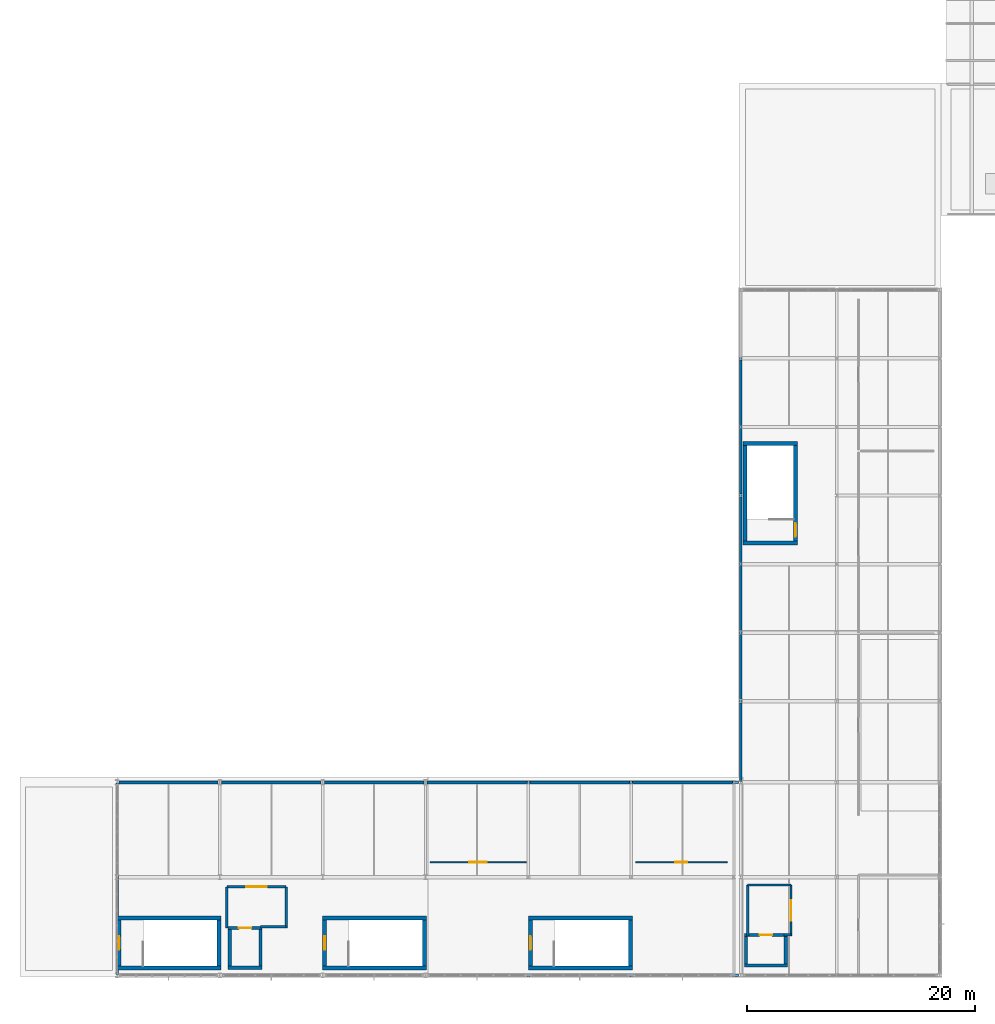
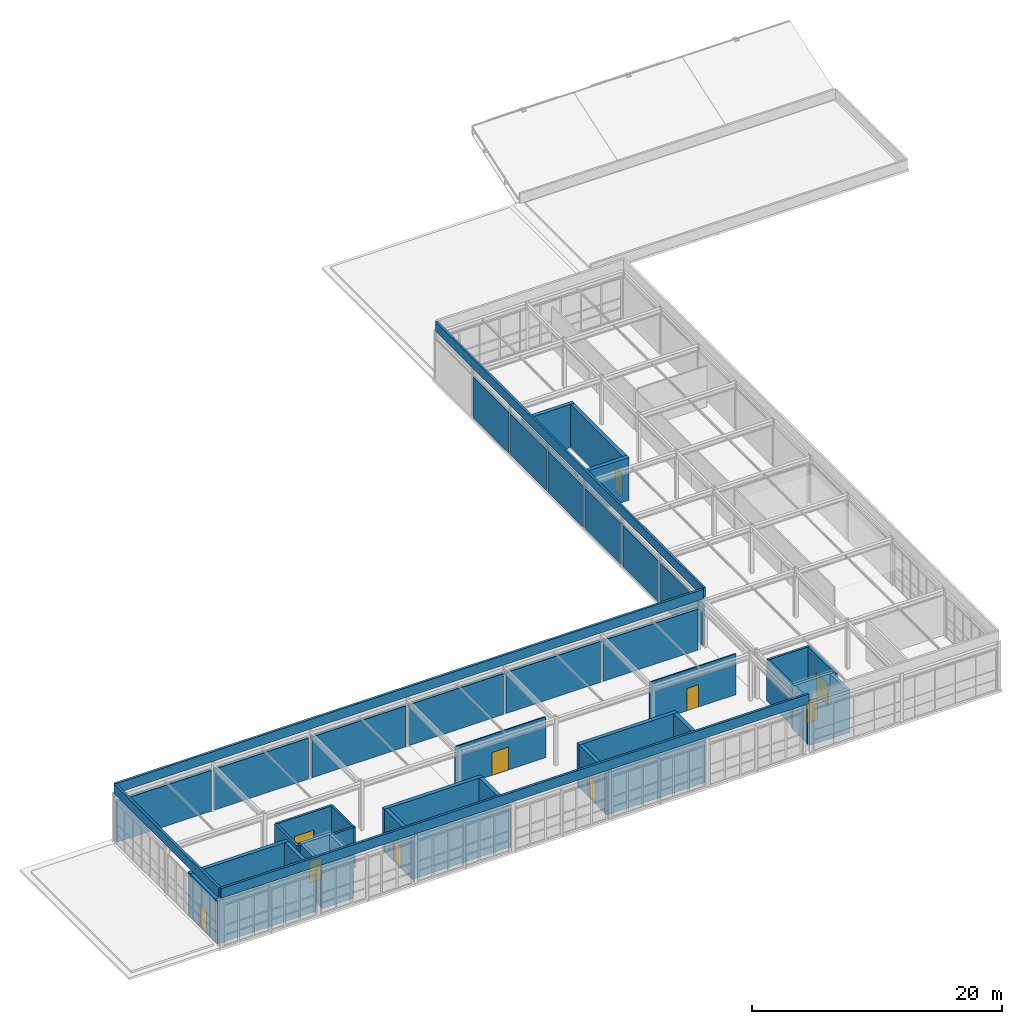
# One storey, part 33 of 38: 50 walls, 10 doors, 10 openings.
"""IFC4 building model written with IfcOpenShell, lengths in metres."""

from ifc_helpers import new_model, si_unit, direction, frame, frame_2d, origin, place, context, subcontext, project, spatial, rectangle, extrude, material, layer, layer_set, type_object, element, fill, save


model = new_model("IFC4")

# Units and contexts
model_context = context("Model", 3, precision=1e-05, world=origin(), true_north=direction((0.0, 1.0)))
body_context = subcontext(model_context, "Body", "Model", "MODEL_VIEW")
ifc_project = project(units=[si_unit("LENGTHUNIT", "METRE"), si_unit("AREAUNIT", "SQUARE_METRE"), si_unit("VOLUMEUNIT", "CUBIC_METRE"), si_unit("PLANEANGLEUNIT", "RADIAN"), si_unit("MASSUNIT", "GRAM", prefix="KILO")], contexts=[model_context])

# Site, building, storey
site_placement = place(None, origin())
site = spatial("IfcSite", under=ifc_project, at=site_placement, CompositionType="ELEMENT")
building_placement = place(site_placement, origin())
building = spatial("IfcBuilding", under=site, at=building_placement, Name="Kaldris Quays Convention Centre", CompositionType="ELEMENT")
storey_placement = place(building_placement, frame((0.0, 0.0, 21.60009765625)))
storey = spatial("IfcBuildingStorey", under=building, at=storey_placement, Name="L04", CompositionType="ELEMENT", Elevation=21.60009765625)

# Walls
ifc_material_1 = material(Name="Precast concrete C40/50", Category="concrete")
ifc_layer_1 = layer(ifc_material_1, 0.263916015625)
ifc_layer_set_1 = layer_set([ifc_layer_1], Name="Precast concrete C40/50")
wall_type_1 = type_object("IfcWallType", Name="EXTERIOR WALL EW04", PredefinedType="STANDARD", material=ifc_layer_set_1)
for number, where, z_axis, x_axis, name in (
    (1, (92.14599609375, 54.89990234375, 0.0), (0.0, 0.0, 1.0), (1.0, 0.0, 0.0), "L04 Exterior Wall EW04 262"),
    (2, (101.14599609375, 54.89990234375, 0.0), (0.0, 0.0, 1.0), (1.0, 0.0, 0.0), "L04 Exterior Wall EW04 263"),
    (3, (110.14599609375, 54.89990234375, 0.0), (0.0, 0.0, 1.0), (1.0, 0.0, 0.0), "L04 Exterior Wall EW04 264"),
):
    element("IfcWall", number, at=place(storey_placement, frame(where, z_axis=z_axis, x_axis=x_axis)), inside=storey, type_object=wall_type_1, Name=name, PredefinedType="STANDARD", context=body_context, shape_type="SweptSolid", body=[
        extrude(rectangle(XDim=8.7080078125, YDim=0.263916015625, at=frame_2d((4.35400390625, 0.0))), origin(), (0.0, 0.0, 1.0), 4.0),
    ])
wall_1_placement = place(storey_placement, frame((119.14599609375, 54.89990234375, 0.0), z_axis=(0.0, 0.0, 1.0), x_axis=(1.0, 0.0, 0.0)))
element("IfcWall", 4, at=wall_1_placement, inside=storey, type_object=wall_type_1, Name="L04 Exterior Wall EW04 265", PredefinedType="STANDARD", context=body_context, shape_type="SweptSolid", body=[
    extrude(rectangle(XDim=8.72802734375, YDim=0.263916015625, at=frame_2d((4.364013671875, 0.0))), origin(), (0.0, 0.0, 1.0), 4.0),
])
for number, where, z_axis, x_axis, name in (
    (5, (128.1259765625, 54.89990234375, 0.0), (0.0, 0.0, 1.0), (1.0, 0.0, 0.0), "L04 Exterior Wall EW04 266"),
    (6, (137.1259765625, 54.89990234375, 0.0), (0.0, 0.0, 1.0), (1.0, 0.0, 0.0), "L04 Exterior Wall EW04 267"),
):
    element("IfcWall", number, at=place(storey_placement, frame(where, z_axis=z_axis, x_axis=x_axis)), inside=storey, type_object=wall_type_1, Name=name, PredefinedType="STANDARD", context=body_context, shape_type="SweptSolid", body=[
        extrude(rectangle(XDim=8.748046875, YDim=0.263916015625, at=frame_2d((4.3740234375, 0.0))), origin(), (0.0, 0.0, 1.0), 4.0),
    ])
ifc_material_2 = material(Name="Anodized aluminium insulated cassette", Category="aluminium")
ifc_layer_2 = layer(ifc_material_2, 0.201904296875)
ifc_layer_set_2 = layer_set([ifc_layer_2], Name="Anodized aluminium insulated cassette")
wall_type_2 = type_object("IfcWallType", Name="EXTERIOR WALL EW07", PredefinedType="STANDARD", material=ifc_layer_set_2)
wall_2_placement = place(storey_placement, frame((146.60009765625, 55.0458984375, 0.0), z_axis=(0.0, 0.0, 1.0), x_axis=(0.0, 1.0, 0.0)))
element("IfcWall", 7, at=wall_2_placement, inside=storey, type_object=wall_type_2, Name="L04 Exterior Wall EW07 346", PredefinedType="STANDARD", context=body_context, shape_type="SweptSolid", body=[
    extrude(rectangle(XDim=6.80810546875, YDim=0.201904296875, at=frame_2d((3.404052734375, 0.0))), origin(), (0.0, 0.0, 1.0), 4.0),
])
wall_3_placement = place(storey_placement, frame((146.60009765625, 62.14599609375, 0.0), z_axis=(0.0, 0.0, 1.0), x_axis=(0.0, 1.0, 0.0)))
element("IfcWall", 8, at=wall_3_placement, inside=storey, type_object=wall_type_2, Name="L04 Exterior Wall EW07 348", PredefinedType="STANDARD", context=body_context, shape_type="SweptSolid", body=[
    extrude(rectangle(XDim=5.7080078125, YDim=0.201904296875, at=frame_2d((2.85400390625, 0.0))), origin(), (0.0, 0.0, 1.0), 4.0),
])
wall_4_placement = place(storey_placement, frame((146.60009765625, 68.14599609375, 0.0), z_axis=(0.0, 0.0, 1.0), x_axis=(0.0, 1.0, 0.0)))
element("IfcWall", 9, at=wall_4_placement, inside=storey, type_object=wall_type_2, Name="L04 Exterior Wall EW07 350", PredefinedType="STANDARD", context=body_context, shape_type="SweptSolid", body=[
    extrude(rectangle(XDim=5.738037109375, YDim=0.201904296875, at=frame_2d((2.869140625, 0.0))), origin(), (0.0, 0.0, 1.0), 4.0),
])
for number, where, z_axis, x_axis, name in (
    (10, (146.60009765625, 74.115966796875, 0.0), (0.0, 0.0, 1.0), (0.0, 1.0, 0.0), "L04 Exterior Wall EW07 352"),
    (11, (146.60009765625, 80.115966796875, 0.0), (0.0, 0.0, 1.0), (0.0, 1.0, 0.0), "L04 Exterior Wall EW07 354"),
    (12, (146.60009765625, 86.115966796875, 0.0), (0.0, 0.0, 1.0), (0.0, 1.0, 0.0), "L04 Exterior Wall EW07 356"),
):
    element("IfcWall", number, at=place(storey_placement, frame(where, z_axis=z_axis, x_axis=x_axis)), inside=storey, type_object=wall_type_2, Name=name, PredefinedType="STANDARD", context=body_context, shape_type="SweptSolid", body=[
        extrude(rectangle(XDim=5.76806640625, YDim=0.201904296875, at=frame_2d((2.884033203125, 0.0))), origin(), (0.0, 0.0, 1.0), 4.0),
    ])
ifc_material_3 = material(Name="Concrete C35/45", Category="concrete")
ifc_layer_3 = layer(ifc_material_3, 0.2119140625)
ifc_layer_set_3 = layer_set([ifc_layer_3], Name="Concrete C35/45")
wall_type_3 = type_object("IfcWallType", Name="EXTERIOR WALL PW01", PredefinedType="PARAPET", material=ifc_layer_set_3)
for number, where, z_axis, x_axis, name in (
    (13, (92.0, 38.0, 4.7998046875), (0.0, 0.0, 1.0), (1.0, 0.0, 0.0), "L04 Roof Parapet PW01 1"),
    (14, (92.0, 54.89990234375, 4.7998046875), (0.0, 0.0, 1.0), (1.0, 0.0, 0.0), "L04 Roof Parapet PW01 2"),
):
    element("IfcWall", number, at=place(storey_placement, frame(where, z_axis=z_axis, x_axis=x_axis)), inside=storey, type_object=wall_type_3, Name=name, PredefinedType="PARAPET", context=body_context, shape_type="SweptSolid", body=[
        extrude(rectangle(XDim=54.39990234375, YDim=0.2119140625, at=frame_2d((27.199951171875, 0.0))), origin(), (0.0, 0.0, 1.0), 0.9501953125),
    ])
wall_5_placement = place(storey_placement, frame((92.0, 38.080078125, 4.7998046875), z_axis=(0.0, 0.0, 1.0), x_axis=(0.0, 1.0, 0.0)))
element("IfcWall", 15, at=wall_5_placement, inside=storey, type_object=wall_type_3, Name="L04 Roof Parapet PW01 3", PredefinedType="PARAPET", context=body_context, shape_type="SweptSolid", body=[
    extrude(rectangle(XDim=16.739990234375, YDim=0.2119140625, at=frame_2d((8.3701171875, 0.0))), origin(), (0.0, 0.0, 1.0), 0.9501953125),
])
ifc_layer_4 = layer(ifc_material_3, 0.19189453125)
ifc_layer_set_4 = layer_set([ifc_layer_4], Name="Concrete C35/45")
wall_type_4 = type_object("IfcWallType", Name="EXTERIOR WALL PW02", PredefinedType="PARAPET", material=ifc_layer_set_4)
wall_6_placement = place(storey_placement, frame((146.60009765625, 54.97998046875, 4.7998046875), z_axis=(0.0, 0.0, 1.0), x_axis=(0.0, 1.0, 0.0)))
element("IfcWall", 16, at=wall_6_placement, inside=storey, type_object=wall_type_4, Name="L04 Roof Parapet PW02 7", PredefinedType="PARAPET", context=body_context, shape_type="SweptSolid", body=[
    extrude(rectangle(XDim=42.93994140625, YDim=0.19189453125, at=frame_2d((21.469970703125, 0.0))), origin(), (0.0, 0.0, 1.0), 0.9501953125),
])

# Wall, opening, door
ifc_layer_5 = layer(ifc_material_3, 0.199951171875)
ifc_layer_set_5 = layer_set([ifc_layer_5], Name="Concrete C35/45")
wall_type_5 = type_object("IfcWallType", Name="INTERIOR WALL IW01", PredefinedType="PARTITIONING", material=ifc_layer_set_5)
wall_7_placement = place(storey_placement, frame((101.60009765625, 45.75, 0.0), z_axis=(0.0, 0.0, 1.0), x_axis=(1.0, 0.0, 0.0)))
wall_7 = element("IfcWall", 17, at=wall_7_placement, inside=storey, type_object=wall_type_5, Name="L04 Firefighting Lift Lobby FL01 Wall N", PredefinedType="PARTITIONING", context=body_context, shape_type="SweptSolid", body=[
    extrude(rectangle(XDim=5.199951171875, YDim=0.199951171875, at=frame_2d((2.60009765625, 0.0))), origin(), (0.0, 0.0, 1.0), 4.0),
])
opening_1_placement = place(wall_7_placement, frame((1.699951171875, 0.0, 0.0)))
opening_1 = element("IfcOpeningElement", 18, at=opening_1_placement, cuts=wall_7, Name="Opening ID02", PredefinedType="OPENING", context=body_context, shape_type="SweptSolid", body=[
    extrude(rectangle(XDim=1.800048828125, YDim=2.199951171875, at=frame_2d((0.89990234375, 1.10009765625))), frame((0.0, 0.10986328125, 0.0), z_axis=(0.0, -1.0, 0.0), x_axis=(1.0, 0.0, 0.0)), (0.0, 0.0, 1.0), 0.219970703125),
])
ifc_material_4 = material(Name="Steel S355J2 fire-resisting door", Category="steel")
door_type_1 = type_object("IfcDoorType", Name="INTERIOR DOOR ID02", OperationType="DOUBLE_DOOR_SINGLE_SWING", PredefinedType="DOOR", material=ifc_material_4)
door_1_placement = place(opening_1_placement, origin())
door_1 = element("IfcDoor", 19, at=door_1_placement, inside=storey, type_object=door_type_1, Name="L04 Firefighting Lift Lobby FL01 Fire Door", OperationType="DOUBLE_DOOR_SINGLE_SWING", OverallHeight=2.199951171875, OverallWidth=1.800048828125, PredefinedType="DOOR", context=body_context, shape_type="SweptSolid", body=[
    extrude(rectangle(XDim=1.800048828125, YDim=2.199951171875, at=frame_2d((0.89990234375, 1.10009765625))), frame((0.0, 0.02490234375, 0.0), z_axis=(0.0, -1.0, 0.0), x_axis=(1.0, 0.0, 0.0)), (0.0, 0.0, 1.0), 0.050048828125),
])
fill(opening_1, door_1)

# Walls
for number, where, z_axis, x_axis, name in (
    (20, (101.60009765625, 42.14990234375, 0.0), (0.0, 0.0, 1.0), (0.0, 1.0, 0.0), "L04 Firefighting Lift Lobby FL01 Wall W"),
    (21, (106.800048828125, 42.14990234375, 0.0), (0.0, 0.0, 1.0), (0.0, 1.0, 0.0), "L04 Firefighting Lift Lobby FL01 Wall E"),
):
    element("IfcWall", number, at=place(storey_placement, frame(where, z_axis=z_axis, x_axis=x_axis)), inside=storey, type_object=wall_type_5, Name=name, PredefinedType="PARTITIONING", context=body_context, shape_type="SweptSolid", body=[
        extrude(rectangle(XDim=3.60009765625, YDim=0.199951171875, at=frame_2d((1.800048828125, 0.0))), origin(), (0.0, 0.0, 1.0), 4.0),
    ])
wall_8_placement = place(storey_placement, frame((104.5400390625, 42.25, 0.0), z_axis=(0.0, 0.0, 1.0), x_axis=(1.0, 0.0, 0.0)))
element("IfcWall", 22, at=wall_8_placement, inside=storey, type_object=wall_type_5, Name="L04 Firefighting Lift Lobby FL01 Wall S", PredefinedType="PARTITIONING", context=body_context, shape_type="SweptSolid", body=[
    extrude(rectangle(XDim=2.260009765625, YDim=0.199951171875, at=frame_2d((1.1298828125, 0.0))), origin(), (0.0, 0.0, 1.0), 4.0),
])

# Wall, opening, door
wall_9_placement = place(storey_placement, frame((151.0, 41.449951171875, 0.0), z_axis=(0.0, 0.0, 1.0), x_axis=(0.0, 1.0, 0.0)))
wall_9 = element("IfcWall", 23, at=wall_9_placement, inside=storey, type_object=wall_type_5, Name="L04 Firefighting Lift Lobby FL02 Wall E", PredefinedType="PARTITIONING", context=body_context, shape_type="SweptSolid", body=[
    extrude(rectangle(XDim=4.449951171875, YDim=0.199951171875, at=frame_2d((2.22509765625, 0.0))), origin(), (0.0, 0.0, 1.0), 4.0),
])
opening_2_placement = place(wall_9_placement, frame((1.324951171875, 0.0, 0.0)))
opening_2 = element("IfcOpeningElement", 24, at=opening_2_placement, cuts=wall_9, Name="Opening ID02", PredefinedType="OPENING", context=body_context, shape_type="SweptSolid", body=[
    extrude(rectangle(XDim=1.800048828125, YDim=2.199951171875, at=frame_2d((0.89990234375, 1.10009765625))), frame((0.0, 0.10986328125, 0.0), z_axis=(0.0, -1.0, 0.0), x_axis=(1.0, 0.0, 0.0)), (0.0, 0.0, 1.0), 0.219970703125),
])
door_2_placement = place(opening_2_placement, frame((1.800048828125, 0.0, 0.0), z_axis=(0.0, 0.0, 1.0), x_axis=(-1.0, 0.0, 0.0)))
door_2 = element("IfcDoor", 25, at=door_2_placement, inside=storey, type_object=door_type_1, Name="L04 Firefighting Lift Lobby FL02 Fire Door", OperationType="DOUBLE_DOOR_SINGLE_SWING", OverallHeight=2.199951171875, OverallWidth=1.800048828125, PredefinedType="DOOR", context=body_context, shape_type="SweptSolid", body=[
    extrude(rectangle(XDim=1.800048828125, YDim=2.199951171875, at=frame_2d((0.89990234375, 1.10009765625))), frame((0.0, 0.02490234375, 0.0), z_axis=(0.0, -1.0, 0.0), x_axis=(1.0, 0.0, 0.0)), (0.0, 0.0, 1.0), 0.050048828125),
])
fill(opening_2, door_2)

# Walls
wall_10_placement = place(storey_placement, frame((147.199951171875, 45.89990234375, 0.0), z_axis=(0.0, 0.0, 1.0), x_axis=(1.0, 0.0, 0.0)))
element("IfcWall", 26, at=wall_10_placement, inside=storey, type_object=wall_type_5, Name="L04 Firefighting Lift Lobby FL02 Wall N", PredefinedType="PARTITIONING", context=body_context, shape_type="SweptSolid", body=[
    extrude(rectangle(XDim=3.800048828125, YDim=0.199951171875, at=frame_2d((1.89990234375, 0.0))), origin(), (0.0, 0.0, 1.0), 4.0),
])
wall_11_placement = place(storey_placement, frame((147.199951171875, 41.449951171875, 0.0), z_axis=(0.0, 0.0, 1.0), x_axis=(0.0, 1.0, 0.0)))
element("IfcWall", 27, at=wall_11_placement, inside=storey, type_object=wall_type_5, Name="L04 Firefighting Lift Lobby FL02 Wall W", PredefinedType="PARTITIONING", context=body_context, shape_type="SweptSolid", body=[
    extrude(rectangle(XDim=4.449951171875, YDim=0.199951171875, at=frame_2d((2.22509765625, 0.0))), origin(), (0.0, 0.0, 1.0), 4.0),
])
wall_12_placement = place(storey_placement, frame((150.39990234375, 41.56005859375, 0.0), z_axis=(0.0, 0.0, 1.0), x_axis=(1.0, 0.0, 0.0)))
element("IfcWall", 28, at=wall_12_placement, inside=storey, type_object=wall_type_5, Name="L04 Firefighting Lift Lobby FL02 Wall S", PredefinedType="PARTITIONING", context=body_context, shape_type="SweptSolid", body=[
    extrude(rectangle(XDim=0.60009765625, YDim=0.199951171875, at=frame_2d((0.300048828125, 0.0))), origin(), (0.0, 0.0, 1.0), 4.0),
])

# Wall, opening, door
ifc_material_5 = material(Name="Acoustic gypsum stud partition", Category="gypsum")
ifc_layer_6 = layer(ifc_material_5, 0.10595703125)
ifc_layer_set_6 = layer_set([ifc_layer_6], Name="Acoustic gypsum stud partition")
wall_type_6 = type_object("IfcWallType", Name="INTERIOR WALL IW07", PredefinedType="PARTITIONING", material=ifc_layer_set_6)
wall_13_placement = place(storey_placement, frame((119.39990234375, 47.89990234375, 0.0), z_axis=(0.0, 0.0, 1.0), x_axis=(1.0, 0.0, 0.0)))
wall_13 = element("IfcWall", 29, at=wall_13_placement, inside=storey, type_object=wall_type_6, Name="L04 Interior Wall IW07 119", PredefinedType="PARTITIONING", context=body_context, shape_type="SweptSolid", body=[
    extrude(rectangle(XDim=8.400146484375, YDim=0.10595703125, at=frame_2d((4.2001953125, 0.0))), origin(), (0.0, 0.0, 1.0), 4.0),
])
opening_3_placement = place(wall_13_placement, frame((3.429931640625, 0.0, 0.0)))
opening_3 = element("IfcOpeningElement", 30, at=opening_3_placement, cuts=wall_13, Name="Opening ID18", PredefinedType="OPENING", context=body_context, shape_type="SweptSolid", body=[
    extrude(rectangle(XDim=1.5400390625, YDim=2.239990234375, at=frame_2d((0.77001953125, 1.1201171875))), frame((0.0, 0.06298828125, 0.0), z_axis=(0.0, -1.0, 0.0), x_axis=(1.0, 0.0, 0.0)), (0.0, 0.0, 1.0), 0.1259765625),
])
ifc_material_6 = material(Name="Timber boardroom double door", Category="wood")
door_type_2 = type_object("IfcDoorType", Name="INTERIOR DOOR ID18", OperationType="DOUBLE_DOOR_SINGLE_SWING", PredefinedType="DOOR", material=ifc_material_6)
door_3_placement = place(opening_3_placement, origin())
door_3 = element("IfcDoor", 31, at=door_3_placement, inside=storey, type_object=door_type_2, Name="L04 Interior Door ID18 79", OperationType="DOUBLE_DOOR_SINGLE_SWING", OverallHeight=2.239990234375, OverallWidth=1.5400390625, PredefinedType="DOOR", context=body_context, shape_type="SweptSolid", body=[
    extrude(rectangle(XDim=1.5400390625, YDim=2.239990234375, at=frame_2d((0.77001953125, 1.1201171875))), frame((0.0, 0.02490234375, 0.0), z_axis=(0.0, -1.0, 0.0), x_axis=(1.0, 0.0, 0.0)), (0.0, 0.0, 1.0), 0.050048828125),
])
fill(opening_3, door_3)

wall_14_placement = place(storey_placement, frame((137.39990234375, 47.89990234375, 0.0), z_axis=(0.0, 0.0, 1.0), x_axis=(1.0, 0.0, 0.0)))
wall_14 = element("IfcWall", 32, at=wall_14_placement, inside=storey, type_object=wall_type_6, Name="L04 Interior Wall IW07 120", PredefinedType="PARTITIONING", context=body_context, shape_type="SweptSolid", body=[
    extrude(rectangle(XDim=8.0, YDim=0.10595703125, at=frame_2d((4.0, 0.0))), origin(), (0.0, 0.0, 1.0), 4.0),
])
opening_4_placement = place(wall_14_placement, frame((3.469970703125, 0.0, 0.0)))
opening_4 = element("IfcOpeningElement", 33, at=opening_4_placement, cuts=wall_14, Name="Opening ID05", PredefinedType="OPENING", context=body_context, shape_type="SweptSolid", body=[
    extrude(rectangle(XDim=1.06005859375, YDim=2.179931640625, at=frame_2d((0.530029296875, 1.08984375))), frame((0.0, 0.06298828125, 0.0), z_axis=(0.0, -1.0, 0.0), x_axis=(1.0, 0.0, 0.0)), (0.0, 0.0, 1.0), 0.1259765625),
])
ifc_material_7 = material(Name="Timber acoustic leaf in steel frame", Category="steel")
door_type_3 = type_object("IfcDoorType", Name="INTERIOR DOOR ID05", OperationType="NOTDEFINED", PredefinedType="DOOR", material=ifc_material_7)
door_4_placement = place(opening_4_placement, origin())
door_4 = element("IfcDoor", 34, at=door_4_placement, inside=storey, type_object=door_type_3, Name="L04 Interior Door ID05 80", OperationType="SINGLE_SWING_LEFT", OverallHeight=2.179931640625, OverallWidth=1.06005859375, PredefinedType="DOOR", context=body_context, shape_type="SweptSolid", body=[
    extrude(rectangle(XDim=1.06005859375, YDim=2.179931640625, at=frame_2d((0.530029296875, 1.08984375))), frame((0.0, 0.02490234375, 0.0), z_axis=(0.0, -1.0, 0.0), x_axis=(1.0, 0.0, 0.0)), (0.0, 0.0, 1.0), 0.050048828125),
])
fill(opening_4, door_4)

# Walls
ifc_material_8 = material(Name="Concrete C40/50", Category="concrete")
ifc_layer_7 = layer(ifc_material_8, 0.35009765625)
ifc_layer_set_7 = layer_set([ifc_layer_7], Name="Concrete C40/50")
wall_type_7 = type_object("IfcWallType", Name="STRUCTURAL WALL SW01", PredefinedType="SHEAR", material=ifc_layer_set_7)
for number, where, z_axis, x_axis, name in (
    (35, (92.0, 38.625, 0.0), (0.0, 0.0, 1.0), (1.0, 0.0, 0.0), "L04 Core Shear Wall CORE-ST11-L04-S"),
    (36, (92.0, 43.02490234375, 0.0), (0.0, 0.0, 1.0), (1.0, 0.0, 0.0), "L04 Core Shear Wall CORE-ST11-L04-N"),
):
    element("IfcWall", number, at=place(storey_placement, frame(where, z_axis=z_axis, x_axis=x_axis)), inside=storey, type_object=wall_type_7, Name=name, PredefinedType="SHEAR", context=body_context, shape_type="SweptSolid", body=[
        extrude(rectangle(XDim=9.10009765625, YDim=0.35009765625, at=frame_2d((4.550048828125, 0.0))), origin(), (0.0, 0.0, 1.0), 4.199951171875),
    ])

# Wall, opening, door
wall_15_placement = place(storey_placement, frame((92.175048828125, 38.800048828125, 0.0), z_axis=(0.0, 0.0, 1.0), x_axis=(0.0, 1.0, 0.0)))
wall_15 = element("IfcWall", 37, at=wall_15_placement, inside=storey, type_object=wall_type_7, Name="L04 Core Shear Wall CORE-ST11-L04-W", PredefinedType="SHEAR", context=body_context, shape_type="SweptSolid", body=[
    extrude(rectangle(XDim=4.050048828125, YDim=0.35009765625, at=frame_2d((2.02490234375, 0.0))), origin(), (0.0, 0.0, 1.0), 4.199951171875),
])
opening_5_placement = place(wall_15_placement, frame((1.425048828125, 0.0, 0.0)))
opening_5 = element("IfcOpeningElement", 38, at=opening_5_placement, cuts=wall_15, Name="Opening ID03", PredefinedType="OPENING", context=body_context, shape_type="SweptSolid", body=[
    extrude(rectangle(XDim=1.199951171875, YDim=2.199951171875, at=frame_2d((0.60009765625, 1.10009765625))), frame((0.0, 0.18505859375, 0.0), z_axis=(0.0, -1.0, 0.0), x_axis=(1.0, 0.0, 0.0)), (0.0, 0.0, 1.0), 0.3701171875),
])
door_type_4 = type_object("IfcDoorType", Name="INTERIOR DOOR ID03", OperationType="NOTDEFINED", PredefinedType="DOOR", material=ifc_material_4)
door_5_placement = place(opening_5_placement, frame((1.199951171875, 0.0, 0.0), z_axis=(0.0, 0.0, 1.0), x_axis=(-1.0, 0.0, 0.0)))
door_5 = element("IfcDoor", 39, at=door_5_placement, inside=storey, type_object=door_type_4, Name="L04 Escape Stair ST11 Fire Door", OperationType="SINGLE_SWING_RIGHT", OverallHeight=2.199951171875, OverallWidth=1.199951171875, PredefinedType="DOOR", context=body_context, shape_type="SweptSolid", body=[
    extrude(rectangle(XDim=1.199951171875, YDim=2.199951171875, at=frame_2d((0.60009765625, 1.10009765625))), frame((0.0, 0.02490234375, 0.0), z_axis=(0.0, -1.0, 0.0), x_axis=(1.0, 0.0, 0.0)), (0.0, 0.0, 1.0), 0.050048828125),
])
fill(opening_5, door_5)

# Walls
wall_16_placement = place(storey_placement, frame((100.925048828125, 38.800048828125, 0.0), z_axis=(0.0, 0.0, 1.0), x_axis=(0.0, 1.0, 0.0)))
element("IfcWall", 40, at=wall_16_placement, inside=storey, type_object=wall_type_7, Name="L04 Core Shear Wall CORE-ST11-L04-E", PredefinedType="SHEAR", context=body_context, shape_type="SweptSolid", body=[
    extrude(rectangle(XDim=4.050048828125, YDim=0.35009765625, at=frame_2d((2.02490234375, 0.0))), origin(), (0.0, 0.0, 1.0), 4.199951171875),
])
for number, where, z_axis, x_axis, name in (
    (41, (128.0, 38.625, 0.0), (0.0, 0.0, 1.0), (1.0, 0.0, 0.0), "L04 Core Shear Wall CORE-ST12-L04-S"),
    (42, (128.0, 43.02490234375, 0.0), (0.0, 0.0, 1.0), (1.0, 0.0, 0.0), "L04 Core Shear Wall CORE-ST12-L04-N"),
):
    element("IfcWall", number, at=place(storey_placement, frame(where, z_axis=z_axis, x_axis=x_axis)), inside=storey, type_object=wall_type_7, Name=name, PredefinedType="SHEAR", context=body_context, shape_type="SweptSolid", body=[
        extrude(rectangle(XDim=9.10009765625, YDim=0.35009765625, at=frame_2d((4.550048828125, 0.0))), origin(), (0.0, 0.0, 1.0), 4.199951171875),
    ])

# Wall, opening, door
wall_17_placement = place(storey_placement, frame((128.175048828125, 38.800048828125, 0.0), z_axis=(0.0, 0.0, 1.0), x_axis=(0.0, 1.0, 0.0)))
wall_17 = element("IfcWall", 43, at=wall_17_placement, inside=storey, type_object=wall_type_7, Name="L04 Core Shear Wall CORE-ST12-L04-W", PredefinedType="SHEAR", context=body_context, shape_type="SweptSolid", body=[
    extrude(rectangle(XDim=4.050048828125, YDim=0.35009765625, at=frame_2d((2.02490234375, 0.0))), origin(), (0.0, 0.0, 1.0), 4.199951171875),
])
opening_6_placement = place(wall_17_placement, frame((1.425048828125, 0.0, 0.0)))
opening_6 = element("IfcOpeningElement", 44, at=opening_6_placement, cuts=wall_17, Name="Opening ID03", PredefinedType="OPENING", context=body_context, shape_type="SweptSolid", body=[
    extrude(rectangle(XDim=1.199951171875, YDim=2.199951171875, at=frame_2d((0.60009765625, 1.10009765625))), frame((0.0, 0.18505859375, 0.0), z_axis=(0.0, -1.0, 0.0), x_axis=(1.0, 0.0, 0.0)), (0.0, 0.0, 1.0), 0.3701171875),
])
door_6_placement = place(opening_6_placement, frame((1.199951171875, 0.0, 0.0), z_axis=(0.0, 0.0, 1.0), x_axis=(-1.0, 0.0, 0.0)))
door_6 = element("IfcDoor", 45, at=door_6_placement, inside=storey, type_object=door_type_4, Name="L04 Escape Stair ST12 Fire Door", OperationType="SINGLE_SWING_RIGHT", OverallHeight=2.199951171875, OverallWidth=1.199951171875, PredefinedType="DOOR", context=body_context, shape_type="SweptSolid", body=[
    extrude(rectangle(XDim=1.199951171875, YDim=2.199951171875, at=frame_2d((0.60009765625, 1.10009765625))), frame((0.0, 0.02490234375, 0.0), z_axis=(0.0, -1.0, 0.0), x_axis=(1.0, 0.0, 0.0)), (0.0, 0.0, 1.0), 0.050048828125),
])
fill(opening_6, door_6)

# Walls
wall_18_placement = place(storey_placement, frame((136.925048828125, 38.800048828125, 0.0), z_axis=(0.0, 0.0, 1.0), x_axis=(0.0, 1.0, 0.0)))
element("IfcWall", 46, at=wall_18_placement, inside=storey, type_object=wall_type_7, Name="L04 Core Shear Wall CORE-ST12-L04-E", PredefinedType="SHEAR", context=body_context, shape_type="SweptSolid", body=[
    extrude(rectangle(XDim=4.050048828125, YDim=0.35009765625, at=frame_2d((2.02490234375, 0.0))), origin(), (0.0, 0.0, 1.0), 4.199951171875),
])
for number, where, z_axis, x_axis, name in (
    (47, (110.0, 38.625, 0.0), (0.0, 0.0, 1.0), (1.0, 0.0, 0.0), "L04 Core Shear Wall CORE-ST13-L04-S"),
    (48, (110.0, 43.02490234375, 0.0), (0.0, 0.0, 1.0), (1.0, 0.0, 0.0), "L04 Core Shear Wall CORE-ST13-L04-N"),
):
    element("IfcWall", number, at=place(storey_placement, frame(where, z_axis=z_axis, x_axis=x_axis)), inside=storey, type_object=wall_type_7, Name=name, PredefinedType="SHEAR", context=body_context, shape_type="SweptSolid", body=[
        extrude(rectangle(XDim=9.10009765625, YDim=0.35009765625, at=frame_2d((4.550048828125, 0.0))), origin(), (0.0, 0.0, 1.0), 4.199951171875),
    ])

# Wall, opening, door
wall_19_placement = place(storey_placement, frame((110.175048828125, 38.800048828125, 0.0), z_axis=(0.0, 0.0, 1.0), x_axis=(0.0, 1.0, 0.0)))
wall_19 = element("IfcWall", 49, at=wall_19_placement, inside=storey, type_object=wall_type_7, Name="L04 Core Shear Wall CORE-ST13-L04-W", PredefinedType="SHEAR", context=body_context, shape_type="SweptSolid", body=[
    extrude(rectangle(XDim=4.050048828125, YDim=0.35009765625, at=frame_2d((2.02490234375, 0.0))), origin(), (0.0, 0.0, 1.0), 4.199951171875),
])
opening_7_placement = place(wall_19_placement, frame((1.425048828125, 0.0, 0.0)))
opening_7 = element("IfcOpeningElement", 50, at=opening_7_placement, cuts=wall_19, Name="Opening ID03", PredefinedType="OPENING", context=body_context, shape_type="SweptSolid", body=[
    extrude(rectangle(XDim=1.199951171875, YDim=2.199951171875, at=frame_2d((0.60009765625, 1.10009765625))), frame((0.0, 0.18505859375, 0.0), z_axis=(0.0, -1.0, 0.0), x_axis=(1.0, 0.0, 0.0)), (0.0, 0.0, 1.0), 0.3701171875),
])
door_7_placement = place(opening_7_placement, frame((1.199951171875, 0.0, 0.0), z_axis=(0.0, 0.0, 1.0), x_axis=(-1.0, 0.0, 0.0)))
door_7 = element("IfcDoor", 51, at=door_7_placement, inside=storey, type_object=door_type_4, Name="L04 Escape Stair ST13 Fire Door", OperationType="SINGLE_SWING_RIGHT", OverallHeight=2.199951171875, OverallWidth=1.199951171875, PredefinedType="DOOR", context=body_context, shape_type="SweptSolid", body=[
    extrude(rectangle(XDim=1.199951171875, YDim=2.199951171875, at=frame_2d((0.60009765625, 1.10009765625))), frame((0.0, 0.02490234375, 0.0), z_axis=(0.0, -1.0, 0.0), x_axis=(1.0, 0.0, 0.0)), (0.0, 0.0, 1.0), 0.050048828125),
])
fill(opening_7, door_7)

# Walls
wall_20_placement = place(storey_placement, frame((118.925048828125, 38.800048828125, 0.0), z_axis=(0.0, 0.0, 1.0), x_axis=(0.0, 1.0, 0.0)))
element("IfcWall", 52, at=wall_20_placement, inside=storey, type_object=wall_type_7, Name="L04 Core Shear Wall CORE-ST13-L04-E", PredefinedType="SHEAR", context=body_context, shape_type="SweptSolid", body=[
    extrude(rectangle(XDim=4.050048828125, YDim=0.35009765625, at=frame_2d((2.02490234375, 0.0))), origin(), (0.0, 0.0, 1.0), 4.199951171875),
])
for number, where, z_axis, x_axis, name in (
    (53, (146.800048828125, 75.824951171875, 0.0), (0.0, 0.0, 1.0), (1.0, 0.0, 0.0), "L04 Core Shear Wall CORE-ST14-L04-S"),
    (54, (146.800048828125, 84.574951171875, 0.0), (0.0, 0.0, 1.0), (1.0, 0.0, 0.0), "L04 Core Shear Wall CORE-ST14-L04-N"),
):
    element("IfcWall", number, at=place(storey_placement, frame(where, z_axis=z_axis, x_axis=x_axis)), inside=storey, type_object=wall_type_7, Name=name, PredefinedType="SHEAR", context=body_context, shape_type="SweptSolid", body=[
        extrude(rectangle(XDim=4.75, YDim=0.35009765625, at=frame_2d((2.375, 0.0))), origin(), (0.0, 0.0, 1.0), 4.199951171875),
    ])
wall_21_placement = place(storey_placement, frame((146.97509765625, 76.0, 0.0), z_axis=(0.0, 0.0, 1.0), x_axis=(0.0, 1.0, 0.0)))
element("IfcWall", 55, at=wall_21_placement, inside=storey, type_object=wall_type_7, Name="L04 Core Shear Wall CORE-ST14-L04-W", PredefinedType="SHEAR", context=body_context, shape_type="SweptSolid", body=[
    extrude(rectangle(XDim=8.39990234375, YDim=0.35009765625, at=frame_2d((4.199951171875, 0.0))), origin(), (0.0, 0.0, 1.0), 4.199951171875),
])

# Wall, opening, door
wall_22_placement = place(storey_placement, frame((151.375, 76.0, 0.0), z_axis=(0.0, 0.0, 1.0), x_axis=(0.0, 1.0, 0.0)))
wall_22 = element("IfcWall", 56, at=wall_22_placement, inside=storey, type_object=wall_type_7, Name="L04 Core Shear Wall CORE-ST14-L04-E", PredefinedType="SHEAR", context=body_context, shape_type="SweptSolid", body=[
    extrude(rectangle(XDim=8.39990234375, YDim=0.35009765625, at=frame_2d((4.199951171875, 0.0))), origin(), (0.0, 0.0, 1.0), 4.199951171875),
])
opening_8_placement = place(wall_22_placement, frame((0.375, 0.0, 0.0)))
opening_8 = element("IfcOpeningElement", 57, at=opening_8_placement, cuts=wall_22, Name="Opening ID03", PredefinedType="OPENING", context=body_context, shape_type="SweptSolid", body=[
    extrude(rectangle(XDim=1.199951171875, YDim=2.199951171875, at=frame_2d((0.60009765625, 1.10009765625))), frame((0.0, 0.18505859375, 0.0), z_axis=(0.0, -1.0, 0.0), x_axis=(1.0, 0.0, 0.0)), (0.0, 0.0, 1.0), 0.3701171875),
])
door_8_placement = place(opening_8_placement, origin())
door_8 = element("IfcDoor", 58, at=door_8_placement, inside=storey, type_object=door_type_4, Name="L04 Escape Stair ST14 Fire Door", OperationType="SINGLE_SWING_RIGHT", OverallHeight=2.199951171875, OverallWidth=1.199951171875, PredefinedType="DOOR", context=body_context, shape_type="SweptSolid", body=[
    extrude(rectangle(XDim=1.199951171875, YDim=2.199951171875, at=frame_2d((0.60009765625, 1.10009765625))), frame((0.0, 0.02490234375, 0.0), z_axis=(0.0, -1.0, 0.0), x_axis=(1.0, 0.0, 0.0)), (0.0, 0.0, 1.0), 0.050048828125),
])
fill(opening_8, door_8)

# Wall
ifc_layer_8 = layer(ifc_material_8, 0.280029296875)
ifc_layer_set_8 = layer_set([ifc_layer_8], Name="Concrete C40/50")
wall_type_8 = type_object("IfcWallType", Name="STRUCTURAL WALL SW03", PredefinedType="SHEAR", material=ifc_layer_set_8)
wall_23_placement = place(storey_placement, frame((101.719970703125, 38.659912109375, 0.0), z_axis=(0.0, 0.0, 1.0), x_axis=(1.0, 0.0, 0.0)))
element("IfcWall", 59, at=wall_23_placement, inside=storey, type_object=wall_type_8, Name="L04 Core Shear Wall LSHAFT-FL01-L04-S", PredefinedType="SHEAR", context=body_context, shape_type="SweptSolid", body=[
    extrude(rectangle(XDim=2.9599609375, YDim=0.280029296875, at=frame_2d((1.47998046875, 0.0))), origin(), (0.0, 0.0, 1.0), 4.199951171875),
])

# Wall, opening, door
wall_24_placement = place(storey_placement, frame((101.719970703125, 42.139892578125, 0.0), z_axis=(0.0, 0.0, 1.0), x_axis=(1.0, 0.0, 0.0)))
wall_24 = element("IfcWall", 60, at=wall_24_placement, inside=storey, type_object=wall_type_8, Name="L04 Core Shear Wall LSHAFT-FL01-L04-N", PredefinedType="SHEAR", context=body_context, shape_type="SweptSolid", body=[
    extrude(rectangle(XDim=2.9599609375, YDim=0.280029296875, at=frame_2d((1.47998046875, 0.0))), origin(), (0.0, 0.0, 1.0), 4.199951171875),
])
opening_9_placement = place(wall_24_placement, frame((0.929931640625, 0.0, 0.0)))
opening_9 = element("IfcOpeningElement", 61, at=opening_9_placement, cuts=wall_24, Name="Opening LD01", PredefinedType="OPENING", context=body_context, shape_type="SweptSolid", body=[
    extrude(rectangle(XDim=1.10009765625, YDim=2.14990234375, at=frame_2d((0.550048828125, 1.074951171875))), frame((0.0, 0.14990234375, 0.0), z_axis=(0.0, -1.0, 0.0), x_axis=(1.0, 0.0, 0.0)), (0.0, 0.0, 1.0), 0.300048828125),
])
ifc_material_9 = material(Name="Stainless steel 1.4301 lift landing door", Category="steel")
door_type_5 = type_object("IfcDoorType", Name="INTERIOR DOOR LD01", OperationType="DOUBLE_DOOR_SLIDING", PredefinedType="DOOR", material=ifc_material_9)
door_9_placement = place(opening_9_placement, origin())
door_9 = element("IfcDoor", 62, at=door_9_placement, inside=storey, type_object=door_type_5, Name="L04 FL01 Sliding Lift Landing Door", OperationType="DOUBLE_DOOR_SLIDING", OverallHeight=2.14990234375, OverallWidth=1.10009765625, PredefinedType="DOOR", context=body_context, shape_type="SweptSolid", body=[
    extrude(rectangle(XDim=1.10009765625, YDim=2.14990234375, at=frame_2d((0.550048828125, 1.074951171875))), frame((0.0, 0.02490234375, 0.0), z_axis=(0.0, -1.0, 0.0), x_axis=(1.0, 0.0, 0.0)), (0.0, 0.0, 1.0), 0.050048828125),
])
fill(opening_9, door_9)

# Walls
for number, where, z_axis, x_axis, name in (
    (63, (101.860107421875, 38.800048828125, 0.0), (0.0, 0.0, 1.0), (0.0, 1.0, 0.0), "L04 Core Shear Wall LSHAFT-FL01-L04-W"),
    (64, (104.5400390625, 38.800048828125, 0.0), (0.0, 0.0, 1.0), (0.0, 1.0, 0.0), "L04 Core Shear Wall LSHAFT-FL01-L04-E"),
):
    element("IfcWall", number, at=place(storey_placement, frame(where, z_axis=z_axis, x_axis=x_axis)), inside=storey, type_object=wall_type_8, Name=name, PredefinedType="SHEAR", context=body_context, shape_type="SweptSolid", body=[
        extrude(rectangle(XDim=3.199951171875, YDim=0.280029296875, at=frame_2d((1.60009765625, 0.0))), origin(), (0.0, 0.0, 1.0), 4.199951171875),
    ])
wall_25_placement = place(storey_placement, frame((146.919921875, 38.860107421875, 0.0), z_axis=(0.0, 0.0, 1.0), x_axis=(1.0, 0.0, 0.0)))
element("IfcWall", 65, at=wall_25_placement, inside=storey, type_object=wall_type_8, Name="L04 Core Shear Wall LSHAFT-FL02-L04-S", PredefinedType="SHEAR", context=body_context, shape_type="SweptSolid", body=[
    extrude(rectangle(XDim=3.760009765625, YDim=0.280029296875, at=frame_2d((1.8798828125, 0.0))), origin(), (0.0, 0.0, 1.0), 4.199951171875),
])

# Wall, opening, door
wall_26_placement = place(storey_placement, frame((146.919921875, 41.5400390625, 0.0), z_axis=(0.0, 0.0, 1.0), x_axis=(1.0, 0.0, 0.0)))
wall_26 = element("IfcWall", 66, at=wall_26_placement, inside=storey, type_object=wall_type_8, Name="L04 Core Shear Wall LSHAFT-FL02-L04-N", PredefinedType="SHEAR", context=body_context, shape_type="SweptSolid", body=[
    extrude(rectangle(XDim=3.760009765625, YDim=0.280029296875, at=frame_2d((1.8798828125, 0.0))), origin(), (0.0, 0.0, 1.0), 4.199951171875),
])
opening_10_placement = place(wall_26_placement, frame((1.330078125, 0.0, 0.0)))
opening_10 = element("IfcOpeningElement", 67, at=opening_10_placement, cuts=wall_26, Name="Opening LD01", PredefinedType="OPENING", context=body_context, shape_type="SweptSolid", body=[
    extrude(rectangle(XDim=1.10009765625, YDim=2.14990234375, at=frame_2d((0.550048828125, 1.074951171875))), frame((0.0, 0.14990234375, 0.0), z_axis=(0.0, -1.0, 0.0), x_axis=(1.0, 0.0, 0.0)), (0.0, 0.0, 1.0), 0.300048828125),
])
door_10_placement = place(opening_10_placement, origin())
door_10 = element("IfcDoor", 68, at=door_10_placement, inside=storey, type_object=door_type_5, Name="L04 FL02 Sliding Lift Landing Door", OperationType="DOUBLE_DOOR_SLIDING", OverallHeight=2.14990234375, OverallWidth=1.10009765625, PredefinedType="DOOR", context=body_context, shape_type="SweptSolid", body=[
    extrude(rectangle(XDim=1.10009765625, YDim=2.14990234375, at=frame_2d((0.550048828125, 1.074951171875))), frame((0.0, 0.02490234375, 0.0), z_axis=(0.0, -1.0, 0.0), x_axis=(1.0, 0.0, 0.0)), (0.0, 0.0, 1.0), 0.050048828125),
])
fill(opening_10, door_10)

# Walls
for number, where, z_axis, x_axis, name in (
    (69, (147.06005859375, 39.0, 0.0), (0.0, 0.0, 1.0), (0.0, 1.0, 0.0), "L04 Core Shear Wall LSHAFT-FL02-L04-W"),
    (70, (150.5400390625, 39.0, 0.0), (0.0, 0.0, 1.0), (0.0, 1.0, 0.0), "L04 Core Shear Wall LSHAFT-FL02-L04-E"),
):
    element("IfcWall", number, at=place(storey_placement, frame(where, z_axis=z_axis, x_axis=x_axis)), inside=storey, type_object=wall_type_8, Name=name, PredefinedType="SHEAR", context=body_context, shape_type="SweptSolid", body=[
        extrude(rectangle(XDim=2.39990234375, YDim=0.280029296875, at=frame_2d((1.199951171875, 0.0))), origin(), (0.0, 0.0, 1.0), 4.199951171875),
    ])

save(model, "model.ifc")
